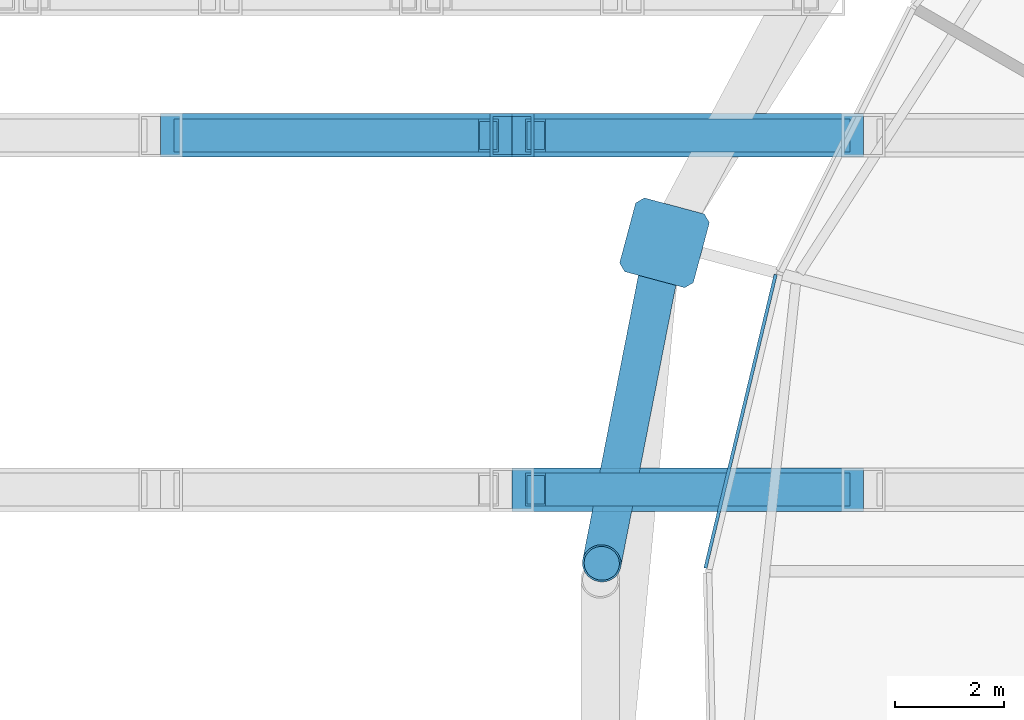
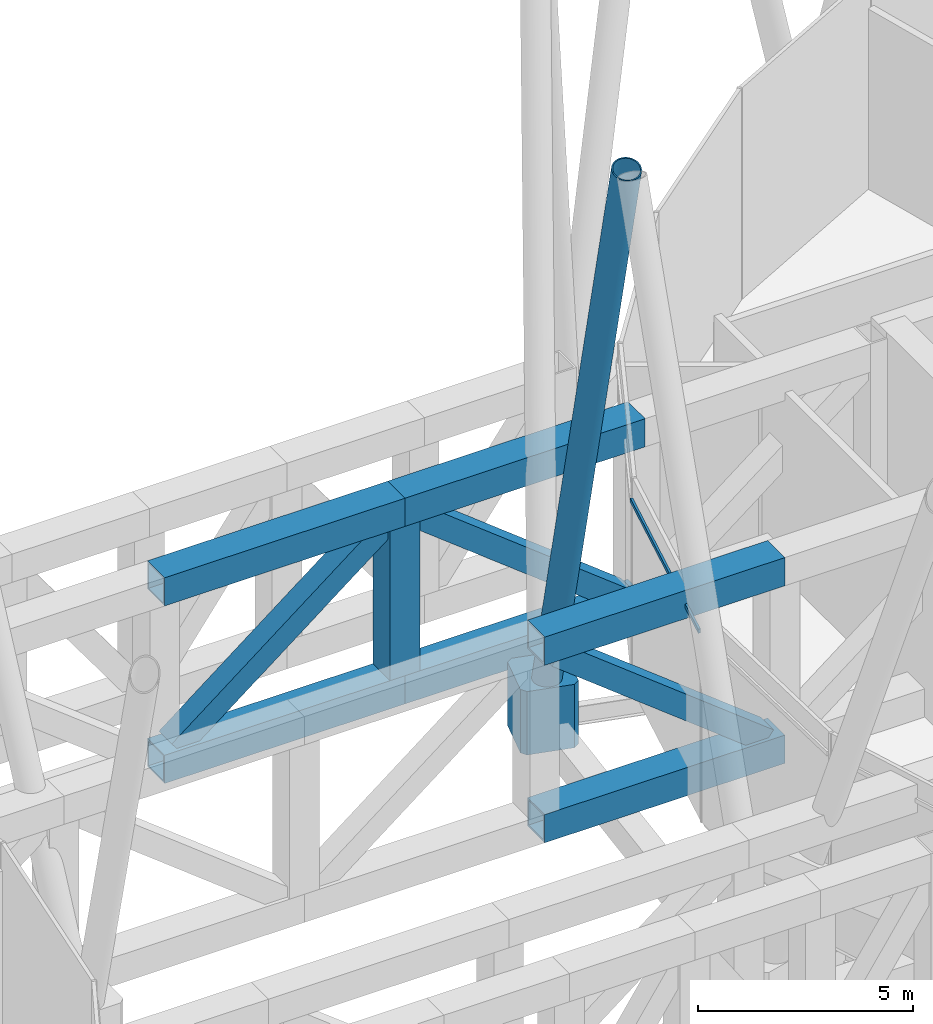
# One storey, part 12 of 39: 13 members, 1 element without a shape of its own.
"""IFC4 building model written with IfcOpenShell, lengths in metres."""

from ifc_helpers import new_model, si_unit, direction, frame, origin, origin_2d, place, context, subcontext, project, spatial, polyline, rectangle, hollow_rectangle, hollow_circle, outline, extrude, material, material_profile, profile_set, type_object, element, aggregate, save


model = new_model("IFC4")

# Units and contexts
model_context = context("Model", 3, precision=1e-05, world=origin(), true_north=direction((0.0, 1.0)))
body_context = subcontext(model_context, "Body", "Model", "MODEL_VIEW")
ifc_project = project(units=[si_unit("LENGTHUNIT", "METRE"), si_unit("AREAUNIT", "SQUARE_METRE"), si_unit("VOLUMEUNIT", "CUBIC_METRE"), si_unit("PLANEANGLEUNIT", "RADIAN"), si_unit("MASSUNIT", "GRAM", prefix="KILO")], contexts=[model_context])

# Site, building, storey
site_placement = place(None, origin())
site = spatial("IfcSite", under=ifc_project, at=site_placement, CompositionType="ELEMENT")
building_placement = place(site_placement, origin())
building = spatial("IfcBuilding", under=site, at=building_placement, Name="Rimbun Link Towers", CompositionType="ELEMENT")
storey_placement = place(building_placement, frame((0.0, 0.0, 127.199951171875)))
storey = spatial("IfcBuildingStorey", under=building, at=storey_placement, Name="L31", CompositionType="ELEMENT", Elevation=127.199951171875)

# Curtain wall, member
ifc_material_1 = material(Name="Aluminium 6063-T6 louvre wall", Category="aluminium")
curtain_wall_type = type_object("IfcCurtainWallType", Name="CW6 plant floor louvre wall", PredefinedType="NOTDEFINED", material=ifc_material_1)
curtain_wall_placement = place(storey_placement, origin())
curtain_wall = element("IfcCurtainWall", 1, at=curtain_wall_placement, inside=storey, type_object=curtain_wall_type, Name="CW6 L31 T2", PredefinedType="NOTDEFINED")
ifc_material_2 = material(Name="Aluminium 6063-T6", Category="aluminium")
ifc_material_profile_1 = material_profile(ifc_material_2, rectangle(XDim=0.06005859375, YDim=0.1201171875, at=origin_2d()), Name="TRANSOM 60X120")
ifc_profile_set_1 = profile_set([ifc_material_profile_1], Name="Aluminium 6063-T6")
member_type_1 = type_object("IfcMemberType", Name="CW6 transom 60X120", PredefinedType="USERDEFINED", material=ifc_profile_set_1)
member_1_placement = place(storey_placement, frame((10.0, 0.059326171875, 5.400146484375), z_axis=(0.232569588826, 0.972579758351, 0.0), x_axis=(-0.972579758351, 0.232569588826, 0.0)))
member_1 = element("IfcMember", 2, at=member_1_placement, type_object=member_type_1, Name="CW6 transom", ObjectType="TRANSOM", PredefinedType="USERDEFINED", context=body_context, shape_type="SweptSolid", body=[
    extrude(rectangle(XDim=0.06005859375, YDim=0.1201171875, at=origin_2d()), origin(), (0.0, 0.0, 1.0), 5.54052734375),
])
aggregate(curtain_wall, [member_1])

# Members
ifc_material_3 = material(Name="Steel S460NH", Category="steel")
ifc_material_profile_2 = material_profile(ifc_material_3, hollow_circle(Radius=0.355712890625, WallThickness=0.031982421875, at=origin_2d()), Name="Diagrid diagonal CHS 711x32")
ifc_profile_set_2 = profile_set([ifc_material_profile_2], Name="Steel S460NH")
member_type_2 = type_object("IfcMemberType", Name="Diagrid diagonal CHS 711x32", PredefinedType="BRACE", material=ifc_profile_set_2)
member_2_placement = place(storey_placement, frame((9.219970703125, 5.88232421875, 0.47705078125), z_axis=(-0.057447850955, -0.293523784795, 0.954224047161), x_axis=(0.981380503078, -0.192073705068, 0.0)))
element("IfcMember", 3, at=member_2_placement, inside=storey, type_object=member_type_2, Name="Diagrid diagonal T2 L31-L35 08b", PredefinedType="BRACE", context=body_context, shape_type="SweptSolid", body=[
    extrude(hollow_circle(Radius=0.355712890625, WallThickness=0.031982421875, at=origin_2d()), origin(), (0.0, 0.0, 1.0), 19.54052734375),
])
ifc_material_4 = material(Name="Cast steel G20Mn5+QT, Rp0.2 300 MPa", Category="steel")
ifc_material_profile_3 = material_profile(ifc_material_4, outline(polyline([(0.699951171875, -0.570068359375), (0.699951171875, 0.570068359375), (0.570068359375, 0.699951171875), (-0.570068359375, 0.699951171875), (-0.699951171875, 0.570068359375), (-0.699951171875, -0.570068359375), (-0.570068359375, -0.699951171875), (0.570068359375, -0.699951171875), (0.699951171875, -0.570068359375)])), Name="NODE 1400x1400")
ifc_profile_set_3 = profile_set([ifc_material_profile_3], Name="Cast steel G20Mn5+QT, Rp0.2 300 MPa")
member_type_3 = type_object("IfcMemberType", Name="Diagrid node cast 1400", PredefinedType="USERDEFINED", material=ifc_profile_set_3)
member_3_placement = place(storey_placement, frame((9.248779296875, 6.029296875, -0.89990234375), z_axis=(0.0, 0.0, 1.0), x_axis=(-0.965925826289, 0.258819045103, 0.0)))
element("IfcMember", 4, at=member_3_placement, inside=storey, type_object=member_type_3, Name="Diagrid node L31 08", ObjectType="Diagrid node", PredefinedType="USERDEFINED", context=body_context, shape_type="SweptSolid", body=[
    extrude(outline(polyline([(0.699951171875, -0.570068359375), (0.699951171875, 0.570068359375), (0.570068359375, 0.699951171875), (-0.570068359375, 0.699951171875), (-0.699951171875, 0.570068359375), (-0.699951171875, -0.570068359375), (-0.570068359375, -0.699951171875), (0.570068359375, -0.699951171875), (0.699951171875, -0.570068359375)])), origin(), (0.0, 0.0, 1.0), 1.800048828125),
])
ifc_material_5 = material(Name="Steel S460N", Category="steel")
ifc_material_profile_4 = material_profile(ifc_material_5, hollow_rectangle(XDim=0.800048828125, YDim=0.800048828125, WallThickness=0.050048828125, at=origin_2d()), Name="Link transfer truss chord BOX 800x800x50")
ifc_profile_set_4 = profile_set([ifc_material_profile_4], Name="Steel S460N")
member_type_4 = type_object("IfcMemberType", Name="Link transfer truss chord BOX 800x800x50", PredefinedType="CHORD", material=ifc_profile_set_4)
for number, where, z_axis, x_axis, name in (
    (5, (6.449951171875, 1.5, 0.400146484375), (1.0, 0.0, 0.0), (0.0, 1.0, 0.0), "Link transfer truss chord 2 bottom 04"),
    (6, (6.449951171875, 1.5, 5.43994140625), (1.0, 0.0, 0.0), (0.0, 1.0, 0.0), "Link transfer truss chord 2 top 04"),
    (7, (0.0, 8.0, 0.400146484375), (1.0, 0.0, 0.0), (0.0, 1.0, 0.0), "Link transfer truss chord 3 bottom 03"),
    (8, (0.0, 8.0, 5.43994140625), (1.0, 0.0, 0.0), (0.0, 1.0, 0.0), "Link transfer truss chord 3 top 03"),
    (9, (6.449951171875, 8.0, 0.400146484375), (1.0, 0.0, 0.0), (0.0, 1.0, 0.0), "Link transfer truss chord 3 bottom 04"),
    (10, (6.449951171875, 8.0, 5.43994140625), (1.0, 0.0, 0.0), (0.0, 1.0, 0.0), "Link transfer truss chord 3 top 04"),
):
    element("IfcMember", number, at=place(storey_placement, frame(where, z_axis=z_axis, x_axis=x_axis)), inside=storey, type_object=member_type_4, Name=name, PredefinedType="CHORD", context=body_context, shape_type="SweptSolid", body=[
        extrude(hollow_rectangle(XDim=0.800048828125, YDim=0.800048828125, WallThickness=0.050048828125, at=origin_2d()), origin(), (0.0, 0.0, 1.0), 6.449951171875),
    ])
ifc_material_6 = material(Name="Steel S460N", Category="steel")
ifc_material_profile_5 = material_profile(ifc_material_6, hollow_rectangle(XDim=0.60009765625, YDim=0.60009765625, WallThickness=0.0400390625, at=origin_2d()), Name="Link transfer truss diagonal BOX 600x600x40")
ifc_profile_set_5 = profile_set([ifc_material_profile_5], Name="Steel S460N")
member_type_5 = type_object("IfcMemberType", Name="Link transfer truss diagonal BOX 600x600x40", PredefinedType="BRACE", material=ifc_profile_set_5)
for number, where, z_axis, x_axis, name in (
    (11, (6.88330078125, 1.5, 5.1015625), (0.787964297355, 0.0, -0.615720931992), (0.0, 1.0, 0.0), "Link transfer truss diagonal 2 04"),
    (12, (0.433349609375, 8.0, 0.73876953125), (0.787964297355, 0.0, 0.615720931992), (0.0, 1.0, 0.0), "Link transfer truss diagonal 3 03"),
    (13, (6.88330078125, 8.0, 5.1015625), (0.787964297355, 0.0, -0.615720931992), (0.0, 1.0, 0.0), "Link transfer truss diagonal 3 04"),
):
    element("IfcMember", number, at=place(storey_placement, frame(where, z_axis=z_axis, x_axis=x_axis)), inside=storey, type_object=member_type_5, Name=name, PredefinedType="BRACE", context=body_context, shape_type="SweptSolid", body=[
        extrude(hollow_rectangle(XDim=0.60009765625, YDim=0.60009765625, WallThickness=0.0400390625, at=origin_2d()), origin(), (0.0, 0.0, 1.0), 7.085693359375),
    ])
ifc_material_7 = material(Name="Steel S460N", Category="steel")
ifc_material_profile_6 = material_profile(ifc_material_7, hollow_rectangle(XDim=0.800048828125, YDim=0.800048828125, WallThickness=0.050048828125, at=origin_2d()), Name="Link transfer truss post BOX 800x800x50")
ifc_profile_set_6 = profile_set([ifc_material_profile_6], Name="Steel S460N")
member_type_6 = type_object("IfcMemberType", Name="Link transfer truss post BOX 800x800x50", PredefinedType="POST", material=ifc_profile_set_6)
member_4_placement = place(storey_placement, frame((6.449951171875, 8.0, 0.800048828125), z_axis=(0.0, 0.0, 1.0), x_axis=(1.0, 0.0, 0.0)))
element("IfcMember", 14, at=member_4_placement, inside=storey, type_object=member_type_6, Name="Link transfer truss post 3-04", PredefinedType="POST", context=body_context, shape_type="SweptSolid", body=[
    extrude(hollow_rectangle(XDim=0.800048828125, YDim=0.800048828125, WallThickness=0.050048828125, at=origin_2d()), origin(), (0.0, 0.0, 1.0), 4.239990234375),
])

save(model, "model.ifc")
